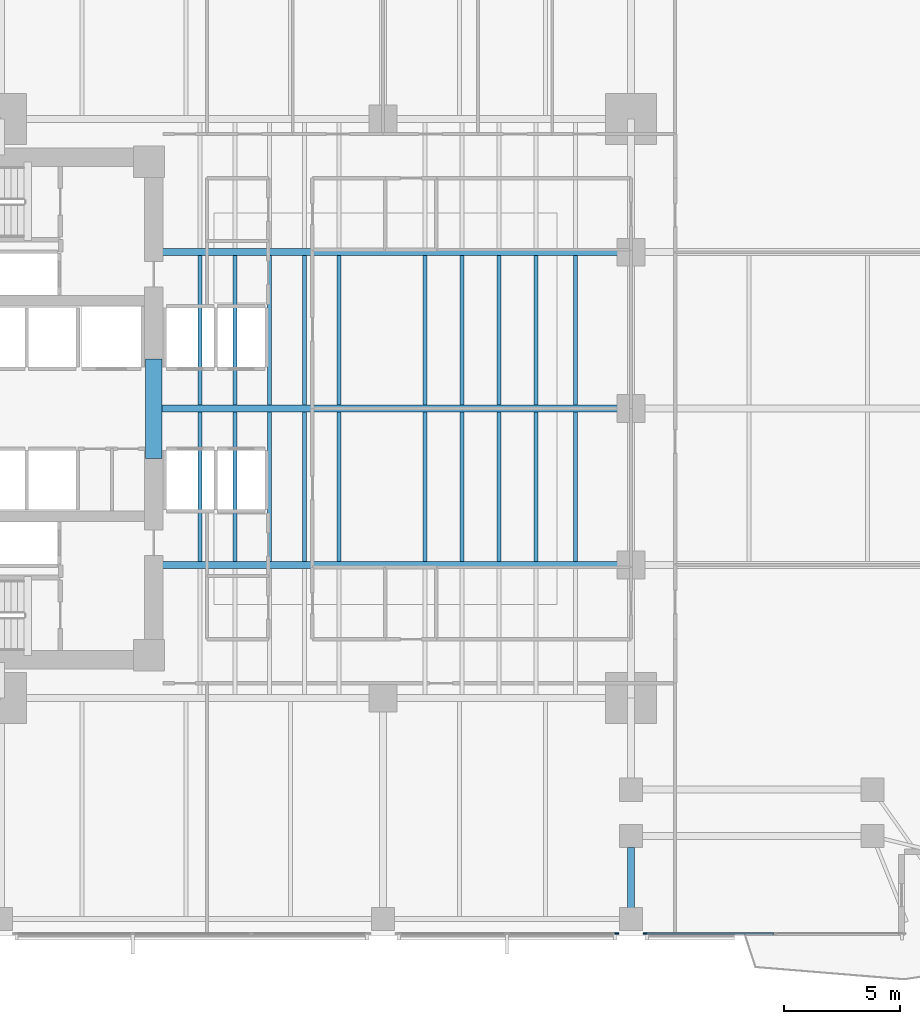
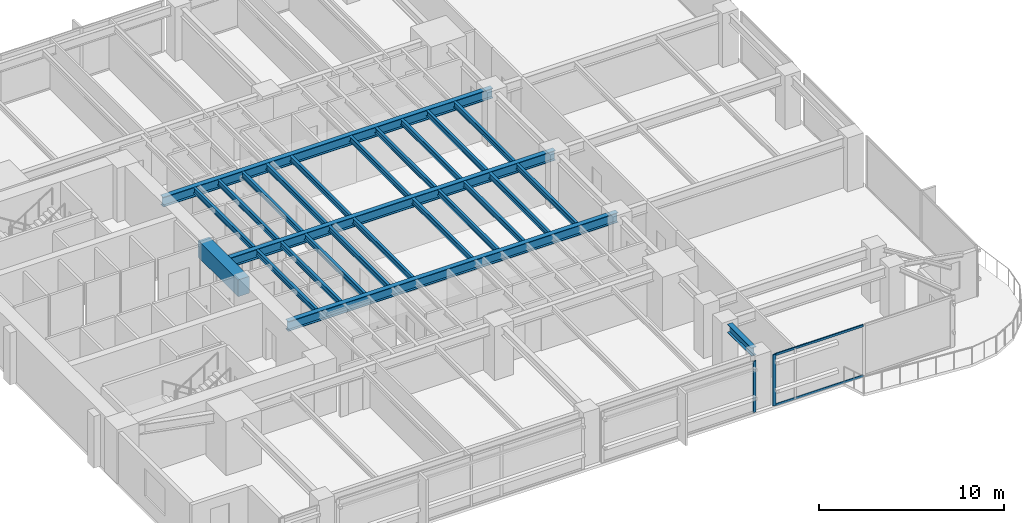
# One storey, part 3 of 15: 25 beams, 4 members, 2 elements without a shape of their own.
"""IFC4 building model written with IfcOpenShell, lengths in metres."""

from ifc_helpers import new_model, si_unit, direction, frame, origin, origin_2d, place, context, subcontext, project, spatial, rectangle, i_section, extrude, material, layer, layer_set, material_profile, profile_set, type_object, element, aggregate, save


model = new_model("IFC4")

# Units and contexts
model_context = context("Model", 3, precision=1e-05, world=origin(), true_north=direction((0.0, 1.0)))
body_context = subcontext(model_context, "Body", "Model", "MODEL_VIEW")
ifc_project = project(units=[si_unit("LENGTHUNIT", "METRE"), si_unit("AREAUNIT", "SQUARE_METRE"), si_unit("VOLUMEUNIT", "CUBIC_METRE"), si_unit("PLANEANGLEUNIT", "RADIAN"), si_unit("MASSUNIT", "GRAM", prefix="KILO")], contexts=[model_context])

# Site, building, storey
site_placement = place(None, origin())
site = spatial("IfcSite", under=ifc_project, at=site_placement, CompositionType="ELEMENT")
building_placement = place(site_placement, origin())
building = spatial("IfcBuilding", under=site, at=building_placement, Name="Kinhvarn Gate Tower", CompositionType="ELEMENT")
storey_placement = place(building_placement, frame((0.0, 0.0, 46.89990234375)))
storey = spatial("IfcBuildingStorey", under=building, at=storey_placement, Name="L11", CompositionType="ELEMENT", Elevation=46.89990234375)

# Beam
ifc_material_1 = material(Name="Concrete C70/85", Category="concrete")
ifc_material_profile_1 = material_profile(ifc_material_1, rectangle(XDim=0.699951171875, YDim=1.10009765625, at=origin_2d()), Name="RC 700x1100")
ifc_profile_set_1 = profile_set([ifc_material_profile_1], Name="Concrete C70/85")
beam_type_1 = type_object("IfcBeamType", Name="BM-CB-1100", PredefinedType="LINTEL", material=ifc_profile_set_1)
beam_1_placement = place(storey_placement, frame((17.60009765625, 23.10009765625, 2.820068359375), z_axis=(0.0, 1.0, 0.0), x_axis=(-1.0, 0.0, 0.0)))
element("IfcBeam", 1, at=beam_1_placement, inside=storey, type_object=beam_type_1, Name="Core East Portal Coupling Beam L11", PredefinedType="LINTEL", context=body_context, shape_type="SweptSolid", body=[
    extrude(rectangle(XDim=0.699951171875, YDim=1.10009765625, at=origin_2d()), origin(), (0.0, 0.0, 1.0), 4.2998046875),
])

# Curtain wall, member
ifc_material_2 = material(Name="Anodised aluminium AW-6063", Category="aluminium")
ifc_layer = layer(ifc_material_2, 0.179931640625)
ifc_layer_set = layer_set([ifc_layer], Name="Anodised aluminium AW-6063")
curtain_wall_type = type_object("IfcCurtainWallType", Name="CW-SYS-2", PredefinedType="NOTDEFINED", material=ifc_layer_set)
curtain_wall_1_placement = place(storey_placement, origin())
curtain_wall_1 = element("IfcCurtainWall", 2, at=curtain_wall_1_placement, inside=storey, type_object=curtain_wall_type, Name="Curtain Wall CW2 (L11)", PredefinedType="NOTDEFINED")
ifc_material_profile_2 = material_profile(ifc_material_2, rectangle(XDim=0.070068359375, YDim=0.179931640625, at=origin_2d()), Name="ALU 70x180")
ifc_profile_set_2 = profile_set([ifc_material_profile_2], Name="Anodised aluminium AW-6063")
member_type_1 = type_object("IfcMemberType", Name="CW-MUL-180", PredefinedType="MULLION", material=ifc_profile_set_2)
member_1_placement = place(storey_placement, frame((37.5849609375, 2.590087890625, 0.0), z_axis=(0.0, 0.0, 1.0), x_axis=(0.0, 1.0, 0.0)))
member_1 = element("IfcMember", 3, at=member_1_placement, type_object=member_type_1, Name="CW2 mullion 3", PredefinedType="MULLION", context=body_context, shape_type="SweptSolid", body=[
    extrude(rectangle(XDim=0.070068359375, YDim=0.179931640625, at=origin_2d()), origin(), (0.0, 0.0, 1.0), 3.3701171875),
])
aggregate(curtain_wall_1, [member_1])

# Curtain wall, members
curtain_wall_2_placement = place(storey_placement, origin())
curtain_wall_2 = element("IfcCurtainWall", 4, at=curtain_wall_2_placement, inside=storey, type_object=curtain_wall_type, Name="Curtain Wall CW2 (L11)", PredefinedType="NOTDEFINED")
member_2_placement = place(storey_placement, frame((38.81494140625, 2.590087890625, 0.0), z_axis=(0.0, 0.0, 1.0), x_axis=(0.0, 1.0, 0.0)))
member_2 = element("IfcMember", 5, at=member_2_placement, type_object=member_type_1, Name="CW2 mullion 1", PredefinedType="MULLION", context=body_context, shape_type="SweptSolid", body=[
    extrude(rectangle(XDim=0.070068359375, YDim=0.179931640625, at=origin_2d()), origin(), (0.0, 0.0, 1.0), 3.3701171875),
])
ifc_material_profile_3 = material_profile(ifc_material_2, rectangle(XDim=0.070068359375, YDim=0.139892578125, at=origin_2d()), Name="ALU 70x140")
ifc_profile_set_3 = profile_set([ifc_material_profile_3], Name="Anodised aluminium AW-6063")
member_type_2 = type_object("IfcMemberType", Name="CW-TRN-140", PredefinedType="USERDEFINED", material=ifc_profile_set_3)
member_3_placement = place(storey_placement, frame((38.85009765625, 2.590087890625, 0.03515625), z_axis=(1.0, 0.0, 0.0), x_axis=(0.0, 1.0, 0.0)))
member_3 = element("IfcMember", 6, at=member_3_placement, type_object=member_type_2, Name="CW2 transom 1.1", ObjectType="TRANSOM", PredefinedType="USERDEFINED", context=body_context, shape_type="SweptSolid", body=[
    extrude(rectangle(XDim=0.070068359375, YDim=0.139892578125, at=origin_2d()), origin(), (0.0, 0.0, 1.0), 5.5048828125),
])
member_4_placement = place(storey_placement, frame((38.85009765625, 2.590087890625, 3.335205078125), z_axis=(1.0, 0.0, 0.0), x_axis=(0.0, 1.0, 0.0)))
member_4 = element("IfcMember", 7, at=member_4_placement, type_object=member_type_2, Name="CW2 transom 1.2", ObjectType="TRANSOM", PredefinedType="USERDEFINED", context=body_context, shape_type="SweptSolid", body=[
    extrude(rectangle(XDim=0.070068359375, YDim=0.139892578125, at=origin_2d()), origin(), (0.0, 0.0, 1.0), 5.5048828125),
])
aggregate(curtain_wall_2, [member_2, member_3, member_4])

# Beams
ifc_material_3 = material(Name="Steel S355", Category="steel")
ifc_material_profile_4 = material_profile(ifc_material_3, i_section(OverallWidth=0.300048828125, OverallDepth=0.550048828125, WebThickness=0.014892578125, FlangeThickness=0.029052734375, at=origin_2d()), Name="HEB 550")
ifc_profile_set_4 = profile_set([ifc_material_profile_4], Name="Steel S355")
beam_type_2 = type_object("IfcBeamType", Name="STL-HEB550", PredefinedType="BEAM", material=ifc_profile_set_4)
beam_2_placement = place(storey_placement, frame((38.199951171875, 3.705078125, 3.09521484375), z_axis=(0.0, 1.0, 0.0), x_axis=(-1.0, 0.0, 0.0)))
element("IfcBeam", 8, at=beam_2_placement, inside=storey, type_object=beam_type_2, Name="Floor Beam PG-15 (L11 MCE-S-A0)", PredefinedType="BEAM", context=body_context, shape_type="SweptSolid", body=[
    extrude(i_section(OverallWidth=0.300048828125, OverallDepth=0.550048828125, WebThickness=0.014892578125, FlangeThickness=0.029052734375, at=origin_2d()), origin(), (0.0, 0.0, 1.0), 2.60986328125),
])
ifc_material_profile_5 = material_profile(ifc_material_3, i_section(OverallWidth=0.300048828125, OverallDepth=0.64990234375, WebThickness=0.01611328125, FlangeThickness=0.031005859375, at=origin_2d()), Name="HEB 650")
ifc_profile_set_5 = profile_set([ifc_material_profile_5], Name="Steel S355")
beam_type_3 = type_object("IfcBeamType", Name="STL-HEB650", PredefinedType="BEAM", material=ifc_profile_set_5)
beam_3_placement = place(storey_placement, frame((17.64990234375, 18.5, 3.045166015625), z_axis=(1.0, 0.0, 0.0), x_axis=(0.0, 1.0, 0.0)))
element("IfcBeam", 9, at=beam_3_placement, inside=storey, type_object=beam_type_3, Name="Floor Beam PG-17 (L11 EW1-Y18)", PredefinedType="BEAM", context=body_context, shape_type="SweptSolid", body=[
    extrude(i_section(OverallWidth=0.300048828125, OverallDepth=0.64990234375, WebThickness=0.01611328125, FlangeThickness=0.031005859375, at=origin_2d()), origin(), (0.0, 0.0, 1.0), 20.550048828125),
])
beam_4_placement = place(storey_placement, frame((17.949951171875, 25.25, 3.045166015625), z_axis=(1.0, 0.0, 0.0), x_axis=(0.0, 1.0, 0.0)))
element("IfcBeam", 10, at=beam_4_placement, inside=storey, type_object=beam_type_3, Name="Floor Beam PG-17 (L11 EW1-Y25)", PredefinedType="BEAM", context=body_context, shape_type="SweptSolid", body=[
    extrude(i_section(OverallWidth=0.300048828125, OverallDepth=0.64990234375, WebThickness=0.01611328125, FlangeThickness=0.031005859375, at=origin_2d()), origin(), (0.0, 0.0, 1.0), 20.25),
])
beam_5_placement = place(storey_placement, frame((17.64990234375, 32.0, 3.045166015625), z_axis=(1.0, 0.0, 0.0), x_axis=(0.0, 1.0, 0.0)))
element("IfcBeam", 11, at=beam_5_placement, inside=storey, type_object=beam_type_3, Name="Floor Beam PG-17 (L11 EW1-Y32)", PredefinedType="BEAM", context=body_context, shape_type="SweptSolid", body=[
    extrude(i_section(OverallWidth=0.300048828125, OverallDepth=0.64990234375, WebThickness=0.01611328125, FlangeThickness=0.031005859375, at=origin_2d()), origin(), (0.0, 0.0, 1.0), 20.550048828125),
])
ifc_material_profile_6 = material_profile(ifc_material_3, i_section(OverallWidth=0.169921875, OverallDepth=0.360107421875, WebThickness=0.008056640625, FlangeThickness=0.0126953125, at=origin_2d()), Name="IPE 360")
ifc_profile_set_6 = profile_set([ifc_material_profile_6], Name="Steel S355")
beam_type_4 = type_object("IfcBeamType", Name="STL-IPE360", PredefinedType="JOIST", material=ifc_profile_set_6)
for number, where, z_axis, x_axis, name in (
    (12, (19.60009765625, 18.64990234375, 3.190185546875), (0.0, 1.0, 0.0), (-1.0, 0.0, 0.0), "Floor Joist SB-04 (L11 JC-X196-1)"),
    (13, (19.60009765625, 25.39990234375, 3.190185546875), (0.0, 1.0, 0.0), (-1.0, 0.0, 0.0), "Floor Joist SB-04 (L11 JC-X196-2)"),
    (14, (21.10009765625, 18.64990234375, 3.190185546875), (0.0, 1.0, 0.0), (-1.0, 0.0, 0.0), "Floor Joist SB-04 (L11 JC-X211-1)"),
    (15, (21.10009765625, 25.39990234375, 3.190185546875), (0.0, 1.0, 0.0), (-1.0, 0.0, 0.0), "Floor Joist SB-04 (L11 JC-X211-2)"),
    (16, (22.60009765625, 18.64990234375, 3.190185546875), (0.0, 1.0, 0.0), (-1.0, 0.0, 0.0), "Floor Joist SB-04 (L11 JC-X226-1)"),
    (17, (22.60009765625, 25.39990234375, 3.190185546875), (0.0, 1.0, 0.0), (-1.0, 0.0, 0.0), "Floor Joist SB-04 (L11 JC-X226-2)"),
    (18, (24.10009765625, 18.64990234375, 3.190185546875), (0.0, 1.0, 0.0), (-1.0, 0.0, 0.0), "Floor Joist SB-04 (L11 JC-X241-1)"),
    (19, (24.10009765625, 25.39990234375, 3.190185546875), (0.0, 1.0, 0.0), (-1.0, 0.0, 0.0), "Floor Joist SB-04 (L11 JC-X241-2)"),
    (20, (25.60009765625, 18.64990234375, 3.190185546875), (0.0, 1.0, 0.0), (-1.0, 0.0, 0.0), "Floor Joist SB-04 (L11 JC-X256-1)"),
    (21, (25.60009765625, 25.39990234375, 3.190185546875), (0.0, 1.0, 0.0), (-1.0, 0.0, 0.0), "Floor Joist SB-04 (L11 JC-X256-2)"),
    (22, (29.300048828125, 18.64990234375, 3.190185546875), (0.0, 1.0, 0.0), (-1.0, 0.0, 0.0), "Floor Joist SB-04 (L11 JC-X293-1)"),
    (23, (29.300048828125, 25.39990234375, 3.190185546875), (0.0, 1.0, 0.0), (-1.0, 0.0, 0.0), "Floor Joist SB-04 (L11 JC-X293-2)"),
    (24, (30.89990234375, 18.64990234375, 3.190185546875), (0.0, 1.0, 0.0), (-1.0, 0.0, 0.0), "Floor Joist SB-04 (L11 JC-X309-1)"),
    (25, (30.89990234375, 25.39990234375, 3.190185546875), (0.0, 1.0, 0.0), (-1.0, 0.0, 0.0), "Floor Joist SB-04 (L11 JC-X309-2)"),
    (26, (32.5, 18.64990234375, 3.190185546875), (0.0, 1.0, 0.0), (-1.0, 0.0, 0.0), "Floor Joist SB-04 (L11 JC-X325-1)"),
    (27, (32.5, 25.39990234375, 3.190185546875), (0.0, 1.0, 0.0), (-1.0, 0.0, 0.0), "Floor Joist SB-04 (L11 JC-X325-2)"),
    (28, (34.10009765625, 18.64990234375, 3.190185546875), (0.0, 1.0, 0.0), (-1.0, 0.0, 0.0), "Floor Joist SB-04 (L11 JC-X341-1)"),
    (29, (34.10009765625, 25.39990234375, 3.190185546875), (0.0, 1.0, 0.0), (-1.0, 0.0, 0.0), "Floor Joist SB-04 (L11 JC-X341-2)"),
    (30, (35.800048828125, 18.64990234375, 3.190185546875), (0.0, 1.0, 0.0), (-1.0, 0.0, 0.0), "Floor Joist SB-04 (L11 JC-X358-1)"),
    (31, (35.800048828125, 25.39990234375, 3.190185546875), (0.0, 1.0, 0.0), (-1.0, 0.0, 0.0), "Floor Joist SB-04 (L11 JC-X358-2)"),
):
    element("IfcBeam", number, at=place(storey_placement, frame(where, z_axis=z_axis, x_axis=x_axis)), inside=storey, type_object=beam_type_4, Name=name, PredefinedType="JOIST", context=body_context, shape_type="SweptSolid", body=[
        extrude(i_section(OverallWidth=0.169921875, OverallDepth=0.360107421875, WebThickness=0.008056640625, FlangeThickness=0.0126953125, at=origin_2d()), origin(), (0.0, 0.0, 1.0), 6.4501953125),
    ])

save(model, "model.ifc")
